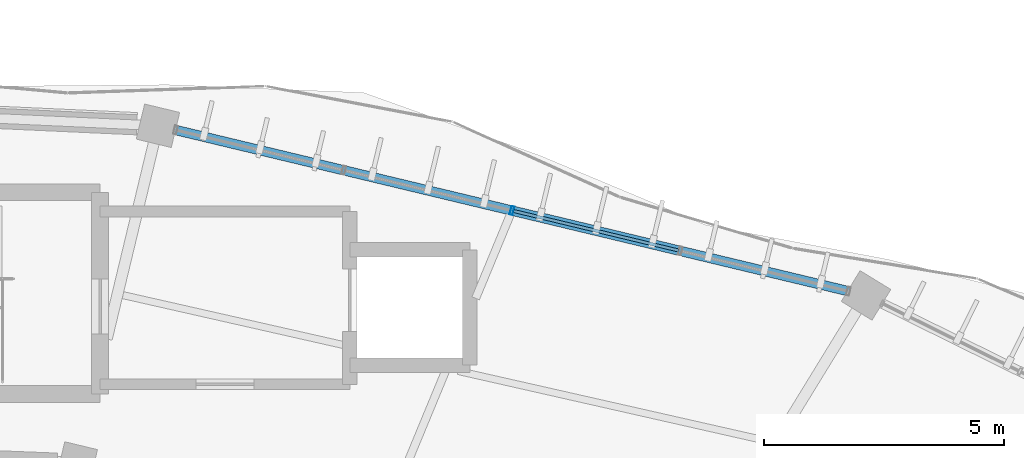
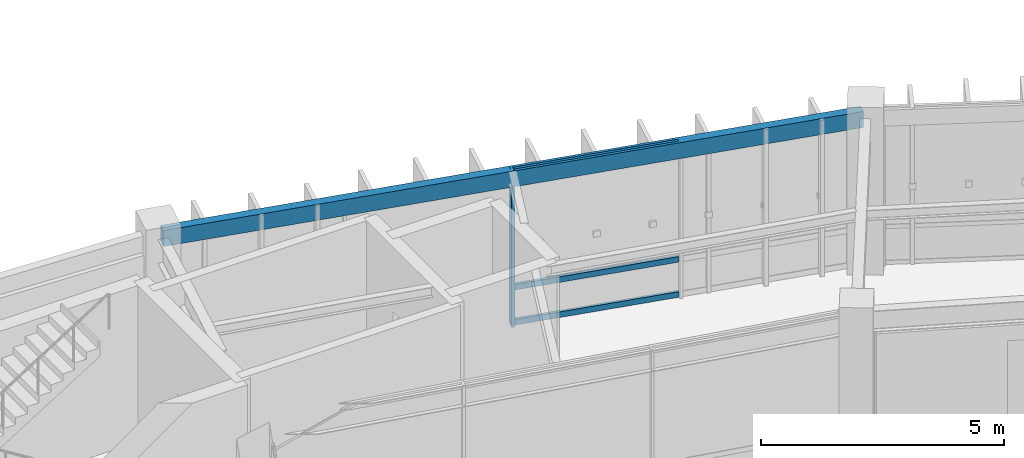
# One storey, part 81 of 152: 4 members, 1 beam, 1 element without a shape of its own.
"""IFC4 building model written with IfcOpenShell, lengths in metres."""

from ifc_helpers import new_model, si_unit, direction, frame, origin, origin_2d, place, context, subcontext, project, spatial, hollow_rectangle, extrude, material, material_profile, profile_set, type_object, element, aggregate, save


model = new_model("IFC4")

# Units and contexts
model_context = context("Model", 3, precision=1e-05, world=origin(), true_north=direction((0.0, 1.0)))
body_context = subcontext(model_context, "Body", "Model", "MODEL_VIEW")
ifc_project = project(units=[si_unit("LENGTHUNIT", "METRE"), si_unit("AREAUNIT", "SQUARE_METRE"), si_unit("VOLUMEUNIT", "CUBIC_METRE"), si_unit("PLANEANGLEUNIT", "RADIAN"), si_unit("MASSUNIT", "GRAM", prefix="KILO"), si_unit("THERMODYNAMICTEMPERATUREUNIT", "KELVIN"), si_unit("POWERUNIT", "WATT")], contexts=[model_context])

# Site, building, storey
site_placement = place(None, origin())
site = spatial("IfcSite", under=ifc_project, at=site_placement, CompositionType="ELEMENT")
building_placement = place(site_placement, origin())
building = spatial("IfcBuilding", under=site, at=building_placement, Name="Darbajah Civic Hall", CompositionType="ELEMENT")
storey_placement = place(building_placement, frame((0.0, 0.0, 5.39990234375)))
storey = spatial("IfcBuildingStorey", under=building, at=storey_placement, Name="L01", CompositionType="ELEMENT", Elevation=5.39990234375)

# Curtain wall, members
ifc_material_1 = material(Name="Anodised Bronze Aluminium and Low-E Glazing", Category="aluminium")
curtain_wall_type = type_object("IfcCurtainWallType", Name="Unitised Curtain Wall CW-21 14400x3900", PredefinedType="USERDEFINED", material=ifc_material_1)
curtain_wall_placement = place(storey_placement, origin())
curtain_wall = element("IfcCurtainWall", 1, at=curtain_wall_placement, inside=storey, type_object=curtain_wall_type, Name="L01 unitised curtain wall CW-V1O-L01-03", ObjectType="UNITISED CURTAIN WALL", PredefinedType="USERDEFINED")
ifc_material_2 = material(Name="Anodised Bronze Aluminium", Category="aluminium")
ifc_material_profile_1 = material_profile(ifc_material_2, hollow_rectangle(XDim=0.06494140625, YDim=0.179931640625, WallThickness=0.00390625, at=origin_2d()), Name="ALU MULLION 65x180")
ifc_profile_set_1 = profile_set([ifc_material_profile_1], Name="Anodised Bronze Aluminium")
member_type_1 = type_object("IfcMemberType", Name="ALU MULLION 65x180", PredefinedType="MULLION", material=ifc_profile_set_1)
member_1_placement = place(storey_placement, frame((108.37646484375, 116.718994140625, 0.0), z_axis=(0.0, 0.0, 1.0), x_axis=(-0.972492018808, 0.232936200179, 0.0)))
member_1 = element("IfcMember", 2, at=member_1_placement, type_object=member_type_1, Name="CW-V1O-L01-03 mullion 3", PredefinedType="MULLION", context=body_context, shape_type="SweptSolid", body=[
    extrude(hollow_rectangle(XDim=0.06494140625, YDim=0.179931640625, WallThickness=0.00390625, at=origin_2d()), origin(), (0.0, 0.0, 1.0), 3.920166015625),
])
ifc_material_profile_2 = material_profile(ifc_material_2, hollow_rectangle(XDim=0.06494140625, YDim=0.139892578125, WallThickness=0.00341796875, at=origin_2d()), Name="ALU TRANSOM 65x140")
ifc_profile_set_2 = profile_set([ifc_material_profile_2], Name="Anodised Bronze Aluminium")
member_type_2 = type_object("IfcMemberType", Name="ALU TRANSOM 65x140", PredefinedType="USERDEFINED", material=ifc_profile_set_2)
member_2_placement = place(storey_placement, frame((111.84228515625, 115.888427734375, 0.070068359375), z_axis=(-0.972466430891, 0.23304300202, 0.0), x_axis=(-0.23304300202, -0.972466430891, 0.0)))
member_2 = element("IfcMember", 3, at=member_2_placement, type_object=member_type_2, Name="CW-V1O-L01-03 transom 2.1", ObjectType="TRANSOM", PredefinedType="USERDEFINED", context=body_context, shape_type="SweptSolid", body=[
    extrude(hollow_rectangle(XDim=0.06494140625, YDim=0.139892578125, WallThickness=0.00341796875, at=origin_2d()), origin(), (0.0, 0.0, 1.0), 3.5263671875),
])
member_3_placement = place(storey_placement, frame((111.84228515625, 115.888427734375, 0.9501953125), z_axis=(-0.972466430891, 0.23304300202, 0.0), x_axis=(-0.23304300202, -0.972466430891, 0.0)))
member_3 = element("IfcMember", 4, at=member_3_placement, type_object=member_type_2, Name="CW-V1O-L01-03 transom 2.2", ObjectType="TRANSOM", PredefinedType="USERDEFINED", context=body_context, shape_type="SweptSolid", body=[
    extrude(hollow_rectangle(XDim=0.06494140625, YDim=0.139892578125, WallThickness=0.00341796875, at=origin_2d()), origin(), (0.0, 0.0, 1.0), 3.5263671875),
])
member_4_placement = place(storey_placement, frame((111.84228515625, 115.888427734375, 3.85009765625), z_axis=(-0.972466430891, 0.23304300202, 0.0), x_axis=(-0.23304300202, -0.972466430891, 0.0)))
member_4 = element("IfcMember", 5, at=member_4_placement, type_object=member_type_2, Name="CW-V1O-L01-03 transom 2.3", ObjectType="TRANSOM", PredefinedType="USERDEFINED", context=body_context, shape_type="SweptSolid", body=[
    extrude(hollow_rectangle(XDim=0.06494140625, YDim=0.139892578125, WallThickness=0.00341796875, at=origin_2d()), origin(), (0.0, 0.0, 1.0), 3.5263671875),
])
aggregate(curtain_wall, [member_1, member_2, member_3, member_4])

# Beam
ifc_material_3 = material(Name="Steel S355JR", Category="steel")
ifc_material_profile_3 = material_profile(ifc_material_3, hollow_rectangle(XDim=0.199951171875, YDim=0.39990234375, WallThickness=0.013916015625, at=origin_2d()), Name="RHS 400x200x14")
ifc_profile_set_3 = profile_set([ifc_material_profile_3], Name="Steel S355JR")
beam_type = type_object("IfcBeamType", Name="RHS 400x200x14", PredefinedType="SPANDREL", material=ifc_profile_set_3)
beam_placement = place(storey_placement, frame((115.669677734375, 114.971435546875, 3.72021484375), z_axis=(-0.972475144086, 0.233006639679, 0.0), x_axis=(-0.233006639679, -0.972475144086, 0.0)))
element("IfcBeam", 6, at=beam_placement, inside=storey, type_object=beam_type, Name="L01 beam SP-RHS400", PredefinedType="SPANDREL", context=body_context, shape_type="SweptSolid", body=[
    extrude(hollow_rectangle(XDim=0.199951171875, YDim=0.39990234375, WallThickness=0.013916015625, at=origin_2d()), origin(), (0.0, 0.0, 1.0), 14.9990234375),
])

save(model, "model.ifc")
